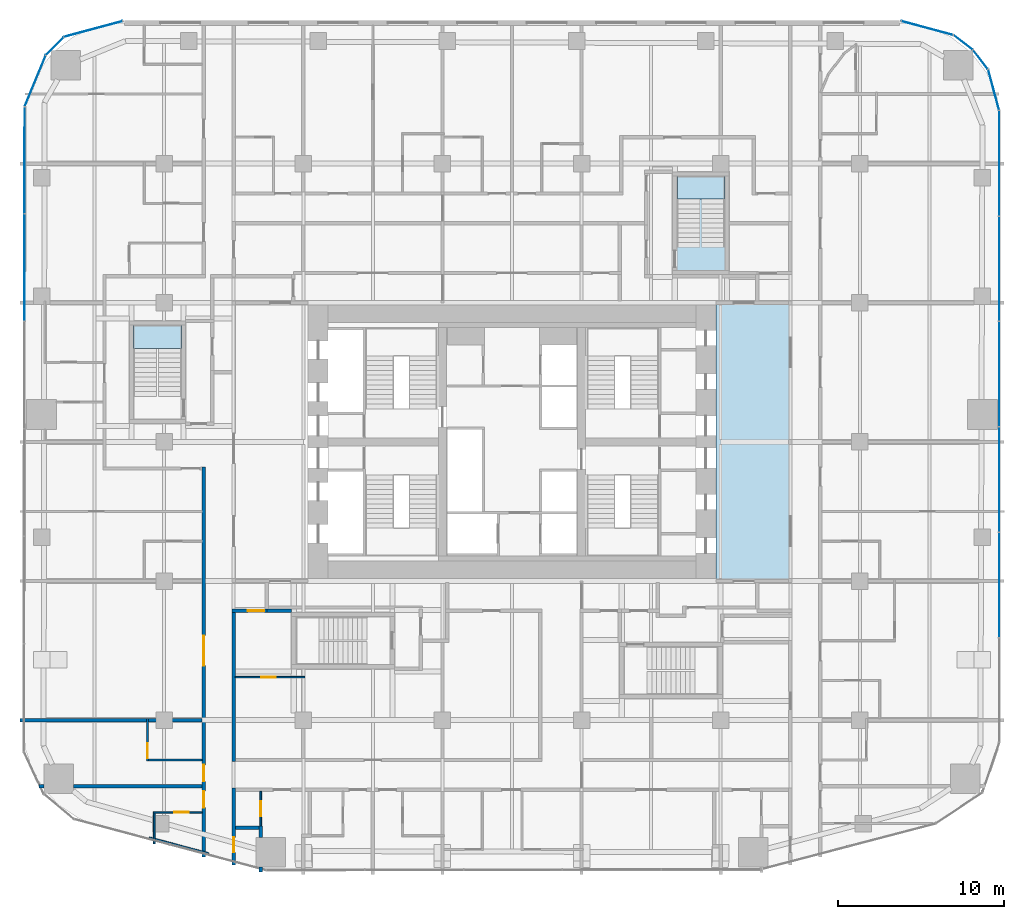
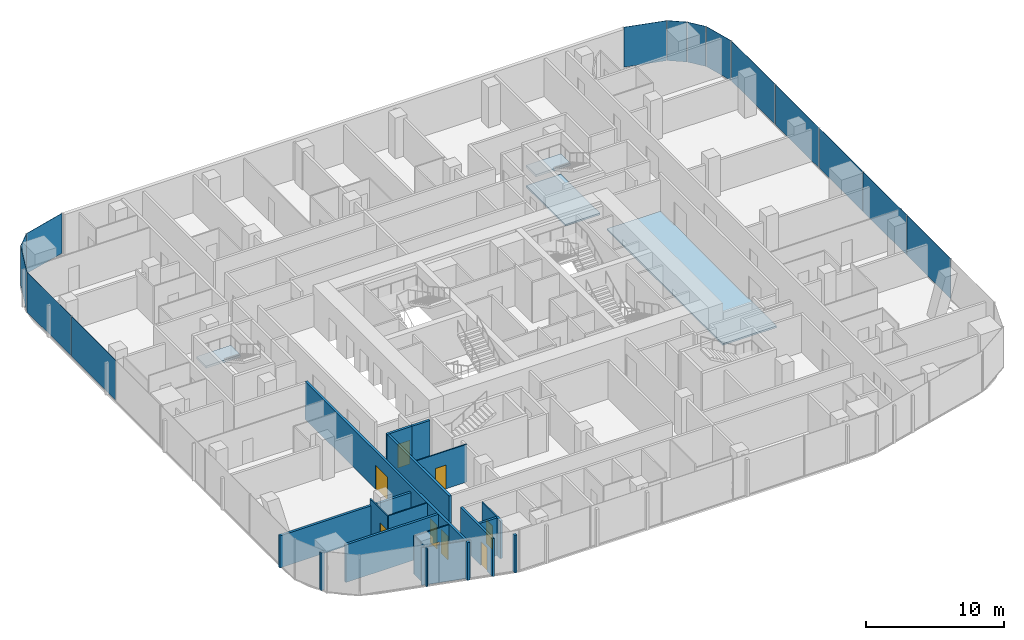
# One storey, part 16 of 27: 18 walls, 14 plates, 9 doors, 4 slabs, 9 openings, 11 elements without a shape of their own.
"""IFC4 building model written with IfcOpenShell, lengths in metres."""

from ifc_helpers import new_model, si_unit, direction, frame, frame_2d, origin, origin_2d, place, context, subcontext, project, spatial, polyline, rectangle, outline, extrude, material, layer, layer_set, type_object, element, fill, aggregate, save


model = new_model("IFC4")

# Units and contexts
model_context = context("Model", 3, precision=1e-05, world=origin(), true_north=direction((0.0, 1.0)))
body_context = subcontext(model_context, "Body", "Model", "MODEL_VIEW")
ifc_project = project(units=[si_unit("LENGTHUNIT", "METRE"), si_unit("AREAUNIT", "SQUARE_METRE"), si_unit("VOLUMEUNIT", "CUBIC_METRE"), si_unit("PLANEANGLEUNIT", "RADIAN"), si_unit("MASSUNIT", "GRAM", prefix="KILO")], contexts=[model_context])

# Site, building, storey
site_placement = place(None, origin())
site = spatial("IfcSite", under=ifc_project, at=site_placement, CompositionType="ELEMENT")
building_placement = place(site_placement, origin())
building = spatial("IfcBuilding", under=site, at=building_placement, Name="Marenta Gate Hotel Tower", CompositionType="ELEMENT")
storey_placement = place(building_placement, frame((0.0, 0.0, 36.5)))
storey = spatial("IfcBuildingStorey", under=building, at=storey_placement, Name="L06", CompositionType="ELEMENT", Elevation=36.5)

# Slab
ifc_material_1 = material(Name="Concrete C40", Category="concrete")
ifc_layer_1 = layer(ifc_material_1, 0.14990234375)
ifc_layer_set_1 = layer_set([ifc_layer_1], Name="Concrete C40")
slab_type_1 = type_object("IfcSlabType", Name="Core floor slab 150", PredefinedType="FLOOR", material=ifc_layer_set_1)
slab_1_placement = place(storey_placement, frame((0.0, 0.0, -0.14990234375)))
element("IfcSlab", 1, at=slab_1_placement, inside=storey, type_object=slab_type_1, Name="L06-CF-1", PredefinedType="FLOOR", context=body_context, shape_type="SweptSolid", body=[
    extrude(outline(polyline([(12.300048828125, 0.0), (12.300048828125, 16.800048828125), (16.800048828125, 16.800048828125), (16.800048828125, 0.0), (12.300048828125, 0.0)])), origin(), (0.0, 0.0, 1.0), 0.14990234375),
])

# Curtain wall, plate
ifc_material_2 = material(Name="Tinted insulated glass in bronze anodised frame", Category="glass")
ifc_layer_2 = layer(ifc_material_2, 0.1201171875)
ifc_layer_set_2 = layer_set([ifc_layer_2], Name="Tinted insulated glass in bronze anodised frame")
curtain_wall_type = type_object("IfcCurtainWallType", Name="Tower unitised curtain wall CW1", PredefinedType="NOTDEFINED", material=ifc_layer_set_2)
curtain_wall_1_placement = place(storey_placement, origin())
curtain_wall_1 = element("IfcCurtainWall", 2, at=curtain_wall_1_placement, inside=storey, type_object=curtain_wall_type, Name="CW1 run G00", PredefinedType="NOTDEFINED")
ifc_material_3 = material(Name="Tinted insulated glass", Category="glass")
ifc_layer_3 = layer(ifc_material_3, 0.028076171875)
ifc_layer_set_3 = layer_set([ifc_layer_3], Name="Tinted insulated glass")
plate_type = type_object("IfcPlateType", Name="Glass panel CW1 28 mm tinted insulated unit", PredefinedType="CURTAIN_PANEL", material=ifc_layer_set_3)
plate_1_placement = place(storey_placement, frame((-25.277099609375, 33.3232421875, 0.06005859375), z_axis=(0.0, 0.0, 1.0), x_axis=(-0.965930485164, -0.258801657317, 0.0)))
plate_1 = element("IfcPlate", 3, at=plate_1_placement, type_object=plate_type, Name="CW1 panel 1.1", PredefinedType="CURTAIN_PANEL", context=body_context, shape_type="SweptSolid", body=[
    extrude(rectangle(XDim=3.64990234375, YDim=0.028076171875, at=origin_2d()), origin(), (0.0, 0.0, 1.0), 3.5400390625),
])
aggregate(curtain_wall_1, [plate_1])

curtain_wall_2_placement = place(storey_placement, origin())
curtain_wall_2 = element("IfcCurtainWall", 4, at=curtain_wall_2_placement, inside=storey, type_object=curtain_wall_type, Name="CW1 run G01", PredefinedType="NOTDEFINED")
plate_2_placement = place(storey_placement, frame((-27.606689453125, 32.2841796875, 0.06005859375), z_axis=(0.0, 0.0, 1.0), x_axis=(-0.707106781187, -0.707106781187, 0.0)))
plate_2 = element("IfcPlate", 5, at=plate_2_placement, type_object=plate_type, Name="CW1 panel 1.1", PredefinedType="CURTAIN_PANEL", context=body_context, shape_type="SweptSolid", body=[
    extrude(rectangle(XDim=1.48291015625, YDim=0.028076171875, at=origin_2d()), origin(), (0.0, 0.0, 1.0), 3.5400390625),
])
aggregate(curtain_wall_2, [plate_2])

curtain_wall_3_placement = place(storey_placement, origin())
curtain_wall_3 = element("IfcCurtainWall", 6, at=curtain_wall_3_placement, inside=storey, type_object=curtain_wall_type, Name="CW1 run G02", PredefinedType="NOTDEFINED")
plate_3_placement = place(storey_placement, frame((-28.783203125, 30.185302734375, 0.06005859375), z_axis=(0.0, 0.0, 1.0), x_axis=(-0.382670050581, -0.923885075314, 0.0)))
plate_3 = element("IfcPlate", 7, at=plate_3_placement, type_object=plate_type, Name="CW1 panel 1.1", PredefinedType="CURTAIN_PANEL", context=body_context, shape_type="SweptSolid", body=[
    extrude(rectangle(XDim=3.28857421875, YDim=0.028076171875, at=origin_2d()), origin(), (0.0, 0.0, 1.0), 3.5400390625),
])
aggregate(curtain_wall_3, [plate_3])

# Curtain wall, plates
curtain_wall_4_placement = place(storey_placement, origin())
curtain_wall_4 = element("IfcCurtainWall", 8, at=curtain_wall_4_placement, inside=storey, type_object=curtain_wall_type, Name="CW1 run G03", PredefinedType="NOTDEFINED")
plate_4_placement = place(storey_placement, frame((-29.41748046875, 25.406005859375, 0.06005859375), z_axis=(0.0, 0.0, 1.0), x_axis=(-0.00156642217, -0.99999877316, 0.0)))
plate_4 = element("IfcPlate", 9, at=plate_4_placement, type_object=plate_type, Name="CW1 panel 1.1", PredefinedType="CURTAIN_PANEL", context=body_context, shape_type="SweptSolid", body=[
    extrude(rectangle(XDim=6.400390625, YDim=0.028076171875, at=origin_2d()), origin(), (0.0, 0.0, 1.0), 3.5400390625),
])
plate_5_placement = place(storey_placement, frame((-29.427490234375, 18.9306640625, 0.06005859375), z_axis=(0.0, 0.0, 1.0), x_axis=(-0.00156642217, -0.99999877316, 0.0)))
plate_5 = element("IfcPlate", 10, at=plate_5_placement, type_object=plate_type, Name="CW1 panel 2.1", PredefinedType="CURTAIN_PANEL", context=body_context, shape_type="SweptSolid", body=[
    extrude(rectangle(XDim=6.430419921875, YDim=0.028076171875, at=origin_2d()), origin(), (0.0, 0.0, 1.0), 3.5400390625),
])
aggregate(curtain_wall_4, [plate_4, plate_5])

curtain_wall_5_placement = place(storey_placement, origin())
curtain_wall_5 = element("IfcCurtainWall", 11, at=curtain_wall_5_placement, inside=storey, type_object=curtain_wall_type, Name="CW1 run G11", PredefinedType="NOTDEFINED")
plate_6_placement = place(storey_placement, frame((29.4140625, -0.22802734375, 0.06005859375), z_axis=(0.0, 0.0, 1.0), x_axis=(0.0, 1.0, 0.0)))
plate_6 = element("IfcPlate", 12, at=plate_6_placement, type_object=plate_type, Name="CW1 panel 2.1", PredefinedType="CURTAIN_PANEL", context=body_context, shape_type="SweptSolid", body=[
    extrude(rectangle(XDim=6.300048828125, YDim=0.028076171875, at=origin_2d()), origin(), (0.0, 0.0, 1.0), 3.5400390625),
])
plate_7_placement = place(storey_placement, frame((29.4140625, 6.132080078125, 0.06005859375), z_axis=(0.0, 0.0, 1.0), x_axis=(0.0, 1.0, 0.0)))
plate_7 = element("IfcPlate", 13, at=plate_7_placement, type_object=plate_type, Name="CW1 panel 3.1", PredefinedType="CURTAIN_PANEL", context=body_context, shape_type="SweptSolid", body=[
    extrude(rectangle(XDim=6.300048828125, YDim=0.028076171875, at=origin_2d()), origin(), (0.0, 0.0, 1.0), 3.5400390625),
])
plate_8_placement = place(storey_placement, frame((29.4140625, 12.491943359375, 0.06005859375), z_axis=(0.0, 0.0, 1.0), x_axis=(0.0, 1.0, 0.0)))
plate_8 = element("IfcPlate", 14, at=plate_8_placement, type_object=plate_type, Name="CW1 panel 4.1", PredefinedType="CURTAIN_PANEL", context=body_context, shape_type="SweptSolid", body=[
    extrude(rectangle(XDim=6.300048828125, YDim=0.028076171875, at=origin_2d()), origin(), (0.0, 0.0, 1.0), 3.5400390625),
])
plate_9_placement = place(storey_placement, frame((29.4140625, 18.851806640625, 0.06005859375), z_axis=(0.0, 0.0, 1.0), x_axis=(0.0, 1.0, 0.0)))
plate_9 = element("IfcPlate", 15, at=plate_9_placement, type_object=plate_type, Name="CW1 panel 5.1", PredefinedType="CURTAIN_PANEL", context=body_context, shape_type="SweptSolid", body=[
    extrude(rectangle(XDim=6.300048828125, YDim=0.028076171875, at=origin_2d()), origin(), (0.0, 0.0, 1.0), 3.5400390625),
])
plate_10_placement = place(storey_placement, frame((29.4140625, 25.226806640625, 0.06005859375), z_axis=(0.0, 0.0, 1.0), x_axis=(0.0, 1.0, 0.0)))
plate_10 = element("IfcPlate", 16, at=plate_10_placement, type_object=plate_type, Name="CW1 panel 6.1", PredefinedType="CURTAIN_PANEL", context=body_context, shape_type="SweptSolid", body=[
    extrude(rectangle(XDim=6.330078125, YDim=0.028076171875, at=origin_2d()), origin(), (0.0, 0.0, 1.0), 3.5400390625),
])
aggregate(curtain_wall_5, [plate_6, plate_7, plate_8, plate_9, plate_10])

# Curtain wall, plate
curtain_wall_6_placement = place(storey_placement, origin())
curtain_wall_6 = element("IfcCurtainWall", 17, at=curtain_wall_6_placement, inside=storey, type_object=curtain_wall_type, Name="CW1 run G12", PredefinedType="NOTDEFINED")
plate_11_placement = place(storey_placement, frame((29.074951171875, 29.657470703125, 0.06005859375), z_axis=(0.0, 0.0, 1.0), x_axis=(-0.258821981125, 0.965925039579, 0.0)))
plate_11 = element("IfcPlate", 18, at=plate_11_placement, type_object=plate_type, Name="CW1 panel 1.1", PredefinedType="CURTAIN_PANEL", context=body_context, shape_type="SweptSolid", body=[
    extrude(rectangle(XDim=2.50048828125, YDim=0.028076171875, at=origin_2d()), origin(), (0.0, 0.0, 1.0), 3.5400390625),
])
aggregate(curtain_wall_6, [plate_11])

curtain_wall_7_placement = place(storey_placement, origin())
curtain_wall_7 = element("IfcCurtainWall", 19, at=curtain_wall_7_placement, inside=storey, type_object=curtain_wall_type, Name="CW1 run G13", PredefinedType="NOTDEFINED")
plate_12_placement = place(storey_placement, frame((28.280029296875, 31.47900390625, 0.06005859375), z_axis=(0.0, 0.0, 1.0), x_axis=(-0.608781405318, 0.79333801153, 0.0)))
plate_12 = element("IfcPlate", 20, at=plate_12_placement, type_object=plate_type, Name="CW1 panel 1.1", PredefinedType="CURTAIN_PANEL", context=body_context, shape_type="SweptSolid", body=[
    extrude(rectangle(XDim=1.427978515625, YDim=0.028076171875, at=origin_2d()), origin(), (0.0, 0.0, 1.0), 3.5400390625),
])
aggregate(curtain_wall_7, [plate_12])

curtain_wall_8_placement = place(storey_placement, origin())
curtain_wall_8 = element("IfcCurtainWall", 21, at=curtain_wall_8_placement, inside=storey, type_object=curtain_wall_type, Name="CW1 run G14", PredefinedType="NOTDEFINED")
plate_13_placement = place(storey_placement, frame((27.2314453125, 32.5166015625, 0.06005859375), z_axis=(0.0, 0.0, 1.0), x_axis=(-0.79333801153, 0.608781405318, 0.0)))
plate_13 = element("IfcPlate", 22, at=plate_13_placement, type_object=plate_type, Name="CW1 panel 1.1", PredefinedType="CURTAIN_PANEL", context=body_context, shape_type="SweptSolid", body=[
    extrude(rectangle(XDim=1.427978515625, YDim=0.028076171875, at=origin_2d()), origin(), (0.0, 0.0, 1.0), 3.5400390625),
])
aggregate(curtain_wall_8, [plate_13])

curtain_wall_9_placement = place(storey_placement, origin())
curtain_wall_9 = element("IfcCurtainWall", 23, at=curtain_wall_9_placement, inside=storey, type_object=curtain_wall_type, Name="CW1 run G15", PredefinedType="NOTDEFINED")
plate_14_placement = place(storey_placement, frame((25.060791015625, 33.381103515625, 0.06005859375), z_axis=(0.0, 0.0, 1.0), x_axis=(-0.965928970532, 0.258807310344, 0.0)))
plate_14 = element("IfcPlate", 24, at=plate_14_placement, type_object=plate_type, Name="CW1 panel 1.1", PredefinedType="CURTAIN_PANEL", context=body_context, shape_type="SweptSolid", body=[
    extrude(rectangle(XDim=3.20166015625, YDim=0.028076171875, at=origin_2d()), origin(), (0.0, 0.0, 1.0), 3.5400390625),
])
aggregate(curtain_wall_9, [plate_14])

# Stair, slab
ifc_material_4 = material(Name="Concrete C40", Category="concrete")
stair_type = type_object("IfcStairType", Name="Remote exit stair 1400 wide", PredefinedType="HALF_TURN_STAIR", material=ifc_material_4)
stair_1_placement = place(storey_placement, origin())
stair_1 = element("IfcStair", 25, at=stair_1_placement, inside=storey, type_object=stair_type, Name="Exit stair RS-Z1-3", PredefinedType="HALF_TURN_STAIR")
ifc_material_5 = material(Name="Concrete C40", Category="concrete")
ifc_layer_4 = layer(ifc_material_5, 0.199951171875)
ifc_layer_set_4 = layer_set([ifc_layer_4], Name="Concrete C40")
slab_type_2 = type_object("IfcSlabType", Name="Remote stair landing 200", PredefinedType="LANDING", material=ifc_layer_set_4)
slab_2_placement = place(storey_placement, frame((0.0, 0.0, 1.60009765625)))
slab_2 = element("IfcSlab", 26, at=slab_2_placement, type_object=slab_type_2, Name="RL-200 RS-Z1-3 landing 1", PredefinedType="LANDING", context=body_context, shape_type="SweptSolid", body=[
    extrude(outline(polyline([(-22.85009765625, 14.050048828125), (-19.949951171875, 14.050048828125), (-19.949951171875, 15.449951171875), (-22.85009765625, 15.449951171875), (-22.85009765625, 14.050048828125)])), origin(), (0.0, 0.0, 1.0), 0.199951171875),
])
aggregate(stair_1, [slab_2])

stair_2_placement = place(storey_placement, origin())
stair_2 = element("IfcStair", 27, at=stair_2_placement, inside=storey, type_object=stair_type, Name="Exit stair RS-Z1-4", PredefinedType="HALF_TURN_STAIR")
slab_3_placement = place(storey_placement, frame((0.0, 0.0, 1.60009765625)))
slab_3 = element("IfcSlab", 28, at=slab_3_placement, type_object=slab_type_2, Name="RL-200 RS-Z1-4 landing 1", PredefinedType="LANDING", context=body_context, shape_type="SweptSolid", body=[
    extrude(outline(polyline([(9.949951171875, 23.050048828125), (12.85009765625, 23.050048828125), (12.85009765625, 24.449951171875), (9.949951171875, 24.449951171875), (9.949951171875, 23.050048828125)])), origin(), (0.0, 0.0, 1.0), 0.199951171875),
])
aggregate(stair_2, [slab_3])

# Slab
ifc_material_6 = material(Name="Concrete C40", Category="concrete")
ifc_layer_5 = layer(ifc_material_6, 0.300048828125)
ifc_layer_set_5 = layer_set([ifc_layer_5], Name="Concrete C40")
slab_type_3 = type_object("IfcSlabType", Name="Stair floor landing slab 300", PredefinedType="FLOOR", material=ifc_layer_set_5)
slab_4_placement = place(storey_placement, frame((0.0, 0.0, -0.14990234375)))
element("IfcSlab", 29, at=slab_4_placement, inside=storey, type_object=slab_type_3, Name="L06-RS-Z1-4-CL", PredefinedType="FLOOR", context=body_context, shape_type="SweptSolid", body=[
    extrude(outline(polyline([(12.85009765625, 18.75), (12.85009765625, 24.449951171875), (9.949951171875, 24.449951171875), (9.949951171875, 18.75), (12.85009765625, 18.75)])), origin(), (0.0, 0.0, 1.0), 0.14990234375),
])

# Wall, opening, door
ifc_material_7 = material(Name="Concrete blockwork", Category="masonry")
ifc_layer_6 = layer(ifc_material_7, 0.199951171875)
ifc_layer_set_6 = layer_set([ifc_layer_6], Name="Concrete blockwork")
wall_type_1 = type_object("IfcWallType", Name="Room corridor wall 200 EI 120", PredefinedType="PARTITIONING", material=ifc_layer_set_6)
wall_1_placement = place(storey_placement, frame((-16.800048828125, -17.14306640625, 0.0), z_axis=(0.0, 0.0, 1.0), x_axis=(0.0, 1.0, 0.0)))
wall_1 = element("IfcWall", 30, at=wall_1_placement, inside=storey, type_object=wall_type_1, Name="L06-PTN-W116", PredefinedType="PARTITIONING", context=body_context, shape_type="SweptSolid", body=[
    extrude(rectangle(XDim=4.64306640625, YDim=0.199951171875, at=frame_2d((2.321533203125, 0.0))), origin(), (0.0, 0.0, 1.0), 3.340087890625),
])
opening_1_placement = place(wall_1_placement, frame((0.77197265625, 0.0, 0.0)))
opening_1 = element("IfcOpeningElement", 31, at=opening_1_placement, cuts=wall_1, Name="Opening G01-75", PredefinedType="OPENING", context=body_context, shape_type="SweptSolid", body=[
    extrude(rectangle(XDim=0.89990234375, YDim=2.10009765625, at=frame_2d((0.449951171875, 1.050048828125))), frame((0.0, 0.10009765625, 0.0), z_axis=(0.0, -1.0, 0.0), x_axis=(1.0, 0.0, 0.0)), (0.0, 0.0, 1.0), 0.199951171875),
])
ifc_material_8 = material(Name="Hollow steel door set", Category="steel")
door_type_1 = type_object("IfcDoorType", Name="Room service door 900x2100 EI 60", OperationType="NOTDEFINED", PredefinedType="DOOR", material=ifc_material_8)
door_1_placement = place(opening_1_placement, origin())
door_1 = element("IfcDoor", 32, at=door_1_placement, inside=storey, type_object=door_type_1, Name="L06-PD-D075", OperationType="SINGLE_SWING_LEFT", OverallHeight=2.10009765625, OverallWidth=0.89990234375, PredefinedType="DOOR", context=body_context, shape_type="SweptSolid", body=[
    extrude(rectangle(XDim=0.89990234375, YDim=2.10009765625, at=frame_2d((0.449951171875, 1.050048828125))), frame((0.0, 0.02490234375, 0.0), z_axis=(0.0, -1.0, 0.0), x_axis=(1.0, 0.0, 0.0)), (0.0, 0.0, 1.0), 0.050048828125),
])
fill(opening_1, door_1)

ifc_material_9 = material(Name="Gypsum board on steel stud", Category="steel")
ifc_layer_7 = layer(ifc_material_9, 0.199951171875)
ifc_layer_set_7 = layer_set([ifc_layer_7], Name="Gypsum board on steel stud")
wall_type_2 = type_object("IfcWallType", Name="Room corridor wall 200 EI 60", PredefinedType="PARTITIONING", material=ifc_layer_set_7)
wall_2_placement = place(storey_placement, frame((-16.89990234375, -1.800048828125, 0.0), z_axis=(0.0, 0.0, 1.0), x_axis=(1.0, 0.0, 0.0)))
wall_2 = element("IfcWall", 33, at=wall_2_placement, inside=storey, type_object=wall_type_2, Name="L06-PTN-W065", PredefinedType="PARTITIONING", context=body_context, shape_type="SweptSolid", body=[
    extrude(rectangle(XDim=2.099853515625, YDim=0.199951171875, at=frame_2d((1.0498046875, 0.0))), origin(), (0.0, 0.0, 1.0), 3.340087890625),
])
opening_2_placement = place(wall_2_placement, frame((0.949951171875, 0.0, 0.0)))
opening_2 = element("IfcOpeningElement", 34, at=opening_2_placement, cuts=wall_2, Name="Opening G01-05", PredefinedType="OPENING", context=body_context, shape_type="SweptSolid", body=[
    extrude(rectangle(XDim=1.0, YDim=2.10009765625, at=frame_2d((0.5, 1.050048828125))), frame((0.0, 0.10009765625, 0.0), z_axis=(0.0, -1.0, 0.0), x_axis=(1.0, 0.0, 0.0)), (0.0, 0.0, 1.0), 0.199951171875),
])
ifc_material_10 = material(Name="Hollow steel door set", Category="steel")
door_type_2 = type_object("IfcDoorType", Name="Room service door 1000x2100 EI 30", OperationType="NOTDEFINED", PredefinedType="DOOR", material=ifc_material_10)
door_2_placement = place(opening_2_placement, origin())
door_2 = element("IfcDoor", 35, at=door_2_placement, inside=storey, type_object=door_type_2, Name="L06-PD-D005", OperationType="SINGLE_SWING_LEFT", OverallHeight=2.10009765625, OverallWidth=1.0, PredefinedType="DOOR", context=body_context, shape_type="SweptSolid", body=[
    extrude(rectangle(XDim=1.0, YDim=2.10009765625, at=frame_2d((0.5, 1.050048828125))), frame((0.0, 0.02490234375, 0.0), z_axis=(0.0, -1.0, 0.0), x_axis=(1.0, 0.0, 0.0)), (0.0, 0.0, 1.0), 0.050048828125),
])
fill(opening_2, door_2)

# Wall
wall_3_placement = place(storey_placement, frame((-16.800048828125, -10.89990234375, 0.0), z_axis=(0.0, 0.0, 1.0), x_axis=(0.0, 1.0, 0.0)))
element("IfcWall", 36, at=wall_3_placement, inside=storey, type_object=wall_type_2, Name="L06-PTN-W117", PredefinedType="PARTITIONING", context=body_context, shape_type="SweptSolid", body=[
    extrude(rectangle(XDim=9.0, YDim=0.199951171875, at=frame_2d((4.5, 0.0))), origin(), (0.0, 0.0, 1.0), 3.340087890625),
])

# Wall, openings, doors
wall_4_placement = place(storey_placement, frame((-18.60009765625, -16.6650390625, 0.0), z_axis=(0.0, 0.0, 1.0), x_axis=(0.0, 1.0, 0.0)))
wall_4 = element("IfcWall", 37, at=wall_4_placement, inside=storey, type_object=wall_type_2, Name="L06-PTN-W129", PredefinedType="PARTITIONING", context=body_context, shape_type="SweptSolid", body=[
    extrude(rectangle(XDim=23.56494140625, YDim=0.199951171875, at=frame_2d((11.782470703125, 0.0))), origin(), (0.0, 0.0, 1.0), 3.340087890625),
])
opening_3_placement = place(wall_4_placement, frame((2.990966796875, 0.0, 0.0)))
opening_3 = element("IfcOpeningElement", 38, at=opening_3_placement, cuts=wall_4, Name="Opening G01-43", PredefinedType="OPENING", context=body_context, shape_type="SweptSolid", body=[
    extrude(rectangle(XDim=1.0, YDim=2.10009765625, at=frame_2d((0.5, 1.050048828125))), frame((0.0, 0.10009765625, 0.0), z_axis=(0.0, -1.0, 0.0), x_axis=(1.0, 0.0, 0.0)), (0.0, 0.0, 1.0), 0.199951171875),
])
opening_4_placement = place(wall_4_placement, frame((4.573974609375, 0.0, 0.0)))
opening_4 = element("IfcOpeningElement", 39, at=opening_4_placement, cuts=wall_4, Name="Opening G01-45", PredefinedType="OPENING", context=body_context, shape_type="SweptSolid", body=[
    extrude(rectangle(XDim=1.0, YDim=2.10009765625, at=frame_2d((0.5, 1.050048828125))), frame((0.0, 0.10009765625, 0.0), z_axis=(0.0, -1.0, 0.0), x_axis=(1.0, 0.0, 0.0)), (0.0, 0.0, 1.0), 0.199951171875),
])
opening_5_placement = place(wall_4_placement, frame((11.56494140625, 0.0, 0.0)))
opening_5 = element("IfcOpeningElement", 40, at=opening_5_placement, cuts=wall_4, Name="Opening G01-47", PredefinedType="OPENING", context=body_context, shape_type="SweptSolid", body=[
    extrude(rectangle(XDim=1.800048828125, YDim=2.10009765625, at=frame_2d((0.89990234375, 1.050048828125))), frame((0.0, 0.10009765625, 0.0), z_axis=(0.0, -1.0, 0.0), x_axis=(1.0, 0.0, 0.0)), (0.0, 0.0, 1.0), 0.199951171875),
])
ifc_material_11 = material(Name="Timber door leaf", Category="wood")
door_type_3 = type_object("IfcDoorType", Name="Guest room door 1000x2100 EI 30", OperationType="NOTDEFINED", PredefinedType="DOOR", material=ifc_material_11)
door_3_placement = place(opening_3_placement, origin())
door_3 = element("IfcDoor", 41, at=door_3_placement, inside=storey, type_object=door_type_3, Name="L06-PD-D043", OperationType="SINGLE_SWING_RIGHT", OverallHeight=2.10009765625, OverallWidth=1.0, PredefinedType="DOOR", context=body_context, shape_type="SweptSolid", body=[
    extrude(rectangle(XDim=1.0, YDim=2.10009765625, at=frame_2d((0.5, 1.050048828125))), frame((0.0, 0.02490234375, 0.0), z_axis=(0.0, -1.0, 0.0), x_axis=(1.0, 0.0, 0.0)), (0.0, 0.0, 1.0), 0.050048828125),
])
fill(opening_3, door_3)
door_4_placement = place(opening_4_placement, origin())
door_4 = element("IfcDoor", 42, at=door_4_placement, inside=storey, type_object=door_type_3, Name="L06-PD-D045", OperationType="SINGLE_SWING_RIGHT", OverallHeight=2.10009765625, OverallWidth=1.0, PredefinedType="DOOR", context=body_context, shape_type="SweptSolid", body=[
    extrude(rectangle(XDim=1.0, YDim=2.10009765625, at=frame_2d((0.5, 1.050048828125))), frame((0.0, 0.02490234375, 0.0), z_axis=(0.0, -1.0, 0.0), x_axis=(1.0, 0.0, 0.0)), (0.0, 0.0, 1.0), 0.050048828125),
])
fill(opening_4, door_4)
ifc_material_12 = material(Name="Timber door leaf", Category="wood")
door_type_4 = type_object("IfcDoorType", Name="Room amenity door 1800x2100 EI 30", OperationType="DOUBLE_DOOR_SINGLE_SWING", PredefinedType="DOOR", material=ifc_material_12)
door_5_placement = place(opening_5_placement, origin())
door_5 = element("IfcDoor", 43, at=door_5_placement, inside=storey, type_object=door_type_4, Name="L06-PD-D047", OperationType="DOUBLE_DOOR_SINGLE_SWING", OverallHeight=2.10009765625, OverallWidth=1.800048828125, PredefinedType="DOOR", context=body_context, shape_type="SweptSolid", body=[
    extrude(rectangle(XDim=1.800048828125, YDim=2.10009765625, at=frame_2d((0.89990234375, 1.050048828125))), frame((0.0, 0.02490234375, 0.0), z_axis=(0.0, -1.0, 0.0), x_axis=(1.0, 0.0, 0.0)), (0.0, 0.0, 1.0), 0.050048828125),
])
fill(opening_5, door_5)

# Wall
ifc_material_13 = material(Name="Gypsum board on steel stud", Category="steel")
ifc_layer_8 = layer(ifc_material_13, 0.10009765625)
ifc_layer_set_8 = layer_set([ifc_layer_8], Name="Gypsum board on steel stud")
wall_type_3 = type_object("IfcWallType", Name="Room partition 100", PredefinedType="PARTITIONING", material=ifc_layer_set_8)
wall_5_placement = place(storey_placement, frame((-21.889892578125, -15.491943359375, 0.0), z_axis=(0.0, 0.0, 1.0), x_axis=(0.966548219163, -0.256484970385, 0.0)))
element("IfcWall", 44, at=wall_5_placement, inside=storey, type_object=wall_type_3, Name="L06-PTN-W007", PredefinedType="PARTITIONING", context=body_context, shape_type="SweptSolid", body=[
    extrude(rectangle(XDim=3.70361328125, YDim=0.10009765625, at=frame_2d((1.851806640625, 0.0))), origin(), (0.0, 0.0, 1.0), 3.340087890625),
])

# Wall, opening, door
wall_6_placement = place(storey_placement, frame((-21.64990234375, -13.965087890625, 0.0), z_axis=(0.0, 0.0, 1.0), x_axis=(1.0, 0.0, 0.0)))
wall_6 = element("IfcWall", 45, at=wall_6_placement, inside=storey, type_object=wall_type_3, Name="L06-PTN-W027", PredefinedType="PARTITIONING", context=body_context, shape_type="SweptSolid", body=[
    extrude(rectangle(XDim=2.949951171875, YDim=0.10009765625, at=frame_2d((1.47509765625, 0.0))), origin(), (0.0, 0.0, 1.0), 3.340087890625),
])
opening_6_placement = place(wall_6_placement, frame((1.25, 0.0, 0.0)))
opening_6 = element("IfcOpeningElement", 46, at=opening_6_placement, cuts=wall_6, Name="Opening G01-44", PredefinedType="OPENING", context=body_context, shape_type="SweptSolid", body=[
    extrude(rectangle(XDim=0.89990234375, YDim=2.10009765625, at=frame_2d((0.449951171875, 1.050048828125))), frame((0.0, 0.050048828125, 0.0), z_axis=(0.0, -1.0, 0.0), x_axis=(1.0, 0.0, 0.0)), (0.0, 0.0, 1.0), 0.10009765625),
])
ifc_material_14 = material(Name="Timber door leaf", Category="wood")
door_type_5 = type_object("IfcDoorType", Name="Guest bathroom door 900x2100", OperationType="NOTDEFINED", PredefinedType="DOOR", material=ifc_material_14)
door_6_placement = place(opening_6_placement, origin())
door_6 = element("IfcDoor", 47, at=door_6_placement, inside=storey, type_object=door_type_5, Name="L06-PD-D044", OperationType="SINGLE_SWING_RIGHT", OverallHeight=2.10009765625, OverallWidth=0.89990234375, PredefinedType="DOOR", context=body_context, shape_type="SweptSolid", body=[
    extrude(rectangle(XDim=0.89990234375, YDim=2.10009765625, at=frame_2d((0.449951171875, 1.050048828125))), frame((0.0, 0.02490234375, 0.0), z_axis=(0.0, -1.0, 0.0), x_axis=(1.0, 0.0, 0.0)), (0.0, 0.0, 1.0), 0.050048828125),
])
fill(opening_6, door_6)

# Wall
wall_7_placement = place(storey_placement, frame((-21.949951171875, -10.800048828125, 0.0), z_axis=(0.0, 0.0, 1.0), x_axis=(1.0, 0.0, 0.0)))
element("IfcWall", 48, at=wall_7_placement, inside=storey, type_object=wall_type_3, Name="L06-PTN-W035", PredefinedType="PARTITIONING", context=body_context, shape_type="SweptSolid", body=[
    extrude(rectangle(XDim=3.25, YDim=0.10009765625, at=frame_2d((1.625, 0.0))), origin(), (0.0, 0.0, 1.0), 3.340087890625),
])

# Wall, opening, door
wall_8_placement = place(storey_placement, frame((-16.699951171875, -5.800048828125, 0.0), z_axis=(0.0, 0.0, 1.0), x_axis=(1.0, 0.0, 0.0)))
wall_8 = element("IfcWall", 49, at=wall_8_placement, inside=storey, type_object=wall_type_3, Name="L06-PTN-W053", PredefinedType="PARTITIONING", context=body_context, shape_type="SweptSolid", body=[
    extrude(rectangle(XDim=4.199951171875, YDim=0.10009765625, at=frame_2d((2.10009765625, 0.0))), origin(), (0.0, 0.0, 1.0), 3.340087890625),
])
opening_7_placement = place(wall_8_placement, frame((1.550048828125, 0.0, 0.0)))
opening_7 = element("IfcOpeningElement", 50, at=opening_7_placement, cuts=wall_8, Name="Opening G01-06", PredefinedType="OPENING", context=body_context, shape_type="SweptSolid", body=[
    extrude(rectangle(XDim=0.89990234375, YDim=2.10009765625, at=frame_2d((0.449951171875, 1.050048828125))), frame((0.0, 0.050048828125, 0.0), z_axis=(0.0, -1.0, 0.0), x_axis=(1.0, 0.0, 0.0)), (0.0, 0.0, 1.0), 0.10009765625),
])
ifc_material_15 = material(Name="Timber door leaf", Category="wood")
door_type_6 = type_object("IfcDoorType", Name="Room inner door 900x2100", OperationType="NOTDEFINED", PredefinedType="DOOR", material=ifc_material_15)
door_7_placement = place(opening_7_placement, origin())
door_7 = element("IfcDoor", 51, at=door_7_placement, inside=storey, type_object=door_type_6, Name="L06-PD-D006", OperationType="SINGLE_SWING_RIGHT", OverallHeight=2.10009765625, OverallWidth=0.89990234375, PredefinedType="DOOR", context=body_context, shape_type="SweptSolid", body=[
    extrude(rectangle(XDim=0.89990234375, YDim=2.10009765625, at=frame_2d((0.449951171875, 1.050048828125))), frame((0.0, 0.02490234375, 0.0), z_axis=(0.0, -1.0, 0.0), x_axis=(1.0, 0.0, 0.0)), (0.0, 0.0, 1.0), 0.050048828125),
])
fill(opening_7, door_7)

wall_9_placement = place(storey_placement, frame((-15.166015625, -15.0, 0.0), z_axis=(0.0, 0.0, 1.0), x_axis=(0.0, 1.0, 0.0)))
wall_9 = element("IfcWall", 52, at=wall_9_placement, inside=storey, type_object=wall_type_3, Name="L06-PTN-W114", PredefinedType="PARTITIONING", context=body_context, shape_type="SweptSolid", body=[
    extrude(rectangle(XDim=2.300048828125, YDim=0.10009765625, at=frame_2d((1.14990234375, 0.0))), origin(), (0.0, 0.0, 1.0), 3.340087890625),
])
opening_8_placement = place(wall_9_placement, frame((0.800048828125, 0.0, 0.0)))
opening_8 = element("IfcOpeningElement", 53, at=opening_8_placement, cuts=wall_9, Name="Opening G01-74", PredefinedType="OPENING", context=body_context, shape_type="SweptSolid", body=[
    extrude(rectangle(XDim=0.89990234375, YDim=2.10009765625, at=frame_2d((0.449951171875, 1.050048828125))), frame((0.0, 0.050048828125, 0.0), z_axis=(0.0, -1.0, 0.0), x_axis=(1.0, 0.0, 0.0)), (0.0, 0.0, 1.0), 0.10009765625),
])
door_8_placement = place(opening_8_placement, origin())
door_8 = element("IfcDoor", 54, at=door_8_placement, inside=storey, type_object=door_type_5, Name="L06-PD-D074", OperationType="SINGLE_SWING_LEFT", OverallHeight=2.10009765625, OverallWidth=0.89990234375, PredefinedType="DOOR", context=body_context, shape_type="SweptSolid", body=[
    extrude(rectangle(XDim=0.89990234375, YDim=2.10009765625, at=frame_2d((0.449951171875, 1.050048828125))), frame((0.0, 0.02490234375, 0.0), z_axis=(0.0, -1.0, 0.0), x_axis=(1.0, 0.0, 0.0)), (0.0, 0.0, 1.0), 0.050048828125),
])
fill(opening_8, door_8)

# Wall
wall_10_placement = place(storey_placement, frame((-21.60009765625, -15.868896484375, 0.0), z_axis=(0.0, 0.0, 1.0), x_axis=(0.0, 1.0, 0.0)))
element("IfcWall", 55, at=wall_10_placement, inside=storey, type_object=wall_type_3, Name="L06-PTN-W135", PredefinedType="PARTITIONING", context=body_context, shape_type="SweptSolid", body=[
    extrude(rectangle(XDim=1.85400390625, YDim=0.10009765625, at=frame_2d((0.927001953125, 0.0))), origin(), (0.0, 0.0, 1.0), 3.340087890625),
])

# Wall, opening, door
wall_11_placement = place(storey_placement, frame((-22.0, -10.85009765625, 0.0), z_axis=(0.0, 0.0, 1.0), x_axis=(0.0, 1.0, 0.0)))
wall_11 = element("IfcWall", 56, at=wall_11_placement, inside=storey, type_object=wall_type_3, Name="L06-PTN-W139", PredefinedType="PARTITIONING", context=body_context, shape_type="SweptSolid", body=[
    extrude(rectangle(XDim=2.550048828125, YDim=0.10009765625, at=frame_2d((1.27490234375, 0.0))), origin(), (0.0, 0.0, 1.0), 3.340087890625),
])
opening_9_placement = place(wall_11_placement, frame((0.14990234375, 0.0, 0.0)))
opening_9 = element("IfcOpeningElement", 57, at=opening_9_placement, cuts=wall_11, Name="Opening G01-46", PredefinedType="OPENING", context=body_context, shape_type="SweptSolid", body=[
    extrude(rectangle(XDim=0.89990234375, YDim=2.10009765625, at=frame_2d((0.449951171875, 1.050048828125))), frame((0.0, 0.050048828125, 0.0), z_axis=(0.0, -1.0, 0.0), x_axis=(1.0, 0.0, 0.0)), (0.0, 0.0, 1.0), 0.10009765625),
])
door_9_placement = place(opening_9_placement, origin())
door_9 = element("IfcDoor", 58, at=door_9_placement, inside=storey, type_object=door_type_5, Name="L06-PD-D046", OperationType="SINGLE_SWING_RIGHT", OverallHeight=2.10009765625, OverallWidth=0.89990234375, PredefinedType="DOOR", context=body_context, shape_type="SweptSolid", body=[
    extrude(rectangle(XDim=0.89990234375, YDim=2.10009765625, at=frame_2d((0.449951171875, 1.050048828125))), frame((0.0, 0.02490234375, 0.0), z_axis=(0.0, -1.0, 0.0), x_axis=(1.0, 0.0, 0.0)), (0.0, 0.0, 1.0), 0.050048828125),
])
fill(opening_9, door_9)

# Walls
ifc_material_16 = material(Name="Concrete blockwork", Category="masonry")
ifc_layer_9 = layer(ifc_material_16, 0.199951171875)
ifc_layer_set_9 = layer_set([ifc_layer_9], Name="Concrete blockwork")
wall_type_4 = type_object("IfcWallType", Name="Room party wall 200 EI 120", PredefinedType="PARTITIONING", material=ifc_layer_set_9)
wall_12_placement = place(storey_placement, frame((-16.699951171875, -14.89990234375, 0.0), z_axis=(0.0, 0.0, 1.0), x_axis=(1.0, 0.0, 0.0)))
element("IfcWall", 59, at=wall_12_placement, inside=storey, type_object=wall_type_4, Name="L06-PTN-W021", PredefinedType="PARTITIONING", context=body_context, shape_type="SweptSolid", body=[
    extrude(rectangle(XDim=1.48388671875, YDim=0.199951171875, at=frame_2d((0.741943359375, 0.0))), origin(), (0.0, 0.0, 1.0), 3.340087890625),
])
wall_13_placement = place(storey_placement, frame((-15.166015625, -17.572998046875, 0.0), z_axis=(0.0, 0.0, 1.0), x_axis=(0.0, 1.0, 0.0)))
element("IfcWall", 60, at=wall_13_placement, inside=storey, type_object=wall_type_4, Name="L06-PTN-W113", PredefinedType="PARTITIONING", context=body_context, shape_type="SweptSolid", body=[
    extrude(rectangle(XDim=0.298095703125, YDim=0.199951171875, at=frame_2d((0.14892578125, 0.0))), origin(), (0.0, 0.0, 1.0), 3.340087890625),
])
wall_14_placement = place(storey_placement, frame((-15.166015625, -15.47509765625, 0.0), z_axis=(0.0, 0.0, 1.0), x_axis=(0.0, 1.0, 0.0)))
element("IfcWall", 61, at=wall_14_placement, inside=storey, type_object=wall_type_4, Name="L06-PTN-W165", PredefinedType="PARTITIONING", context=body_context, shape_type="SweptSolid", body=[
    extrude(rectangle(XDim=0.675048828125, YDim=0.199951171875, at=frame_2d((0.33740234375, 0.0))), origin(), (0.0, 0.0, 1.0), 3.340087890625),
])
ifc_material_17 = material(Name="Gypsum board on steel stud", Category="steel")
ifc_layer_10 = layer(ifc_material_17, 0.199951171875)
ifc_layer_set_10 = layer_set([ifc_layer_10], Name="Gypsum board on steel stud")
wall_type_5 = type_object("IfcWallType", Name="Room party wall 200 EI 60", PredefinedType="PARTITIONING", material=ifc_layer_set_10)
wall_15_placement = place(storey_placement, frame((-28.552978515625, -12.383056640625, 0.0), z_axis=(0.0, 0.0, 1.0), x_axis=(1.0, 0.0, 0.0)))
element("IfcWall", 62, at=wall_15_placement, inside=storey, type_object=wall_type_5, Name="L06-PTN-W032", PredefinedType="PARTITIONING", context=body_context, shape_type="SweptSolid", body=[
    extrude(rectangle(XDim=0.2900390625, YDim=0.199951171875, at=frame_2d((0.14501953125, 0.0))), origin(), (0.0, 0.0, 1.0), 3.340087890625),
])
wall_16_placement = place(storey_placement, frame((-26.462890625, -12.383056640625, 0.0), z_axis=(0.0, 0.0, 1.0), x_axis=(1.0, 0.0, 0.0)))
element("IfcWall", 63, at=wall_16_placement, inside=storey, type_object=wall_type_5, Name="L06-PTN-W163", PredefinedType="PARTITIONING", context=body_context, shape_type="SweptSolid", body=[
    extrude(rectangle(XDim=7.762939453125, YDim=0.199951171875, at=frame_2d((3.88134765625, 0.0))), origin(), (0.0, 0.0, 1.0), 3.340087890625),
])
wall_17_placement = place(storey_placement, frame((-29.699951171875, -8.39990234375, 0.0), z_axis=(0.0, 0.0, 1.0), x_axis=(1.0, 0.0, 0.0)))
element("IfcWall", 64, at=wall_17_placement, inside=storey, type_object=wall_type_5, Name="L06-PTN-W043", PredefinedType="PARTITIONING", context=body_context, shape_type="SweptSolid", body=[
    extrude(rectangle(XDim=11.0, YDim=0.199951171875, at=frame_2d((5.5, 0.0))), origin(), (0.0, 0.0, 1.0), 2.840087890625),
])
ifc_material_18 = material(Name="Concrete blockwork", Category="masonry")
ifc_layer_11 = layer(ifc_material_18, 0.199951171875)
ifc_layer_set_11 = layer_set([ifc_layer_11], Name="Concrete blockwork")
wall_type_6 = type_object("IfcWallType", Name="Room party wall 200 REI 180", PredefinedType="PARTITIONING", material=ifc_layer_set_11)
wall_18_placement = place(storey_placement, frame((-14.800048828125, -1.800048828125, 0.0), z_axis=(0.0, 0.0, 1.0), x_axis=(1.0, 0.0, 0.0)))
element("IfcWall", 65, at=wall_18_placement, inside=storey, type_object=wall_type_6, Name="L06-PTN-W068", PredefinedType="PARTITIONING", context=body_context, shape_type="SweptSolid", body=[
    extrude(rectangle(XDim=1.5, YDim=0.199951171875, at=frame_2d((0.75, 0.0))), origin(), (0.0, 0.0, 1.0), 3.340087890625),
])

save(model, "model.ifc")
